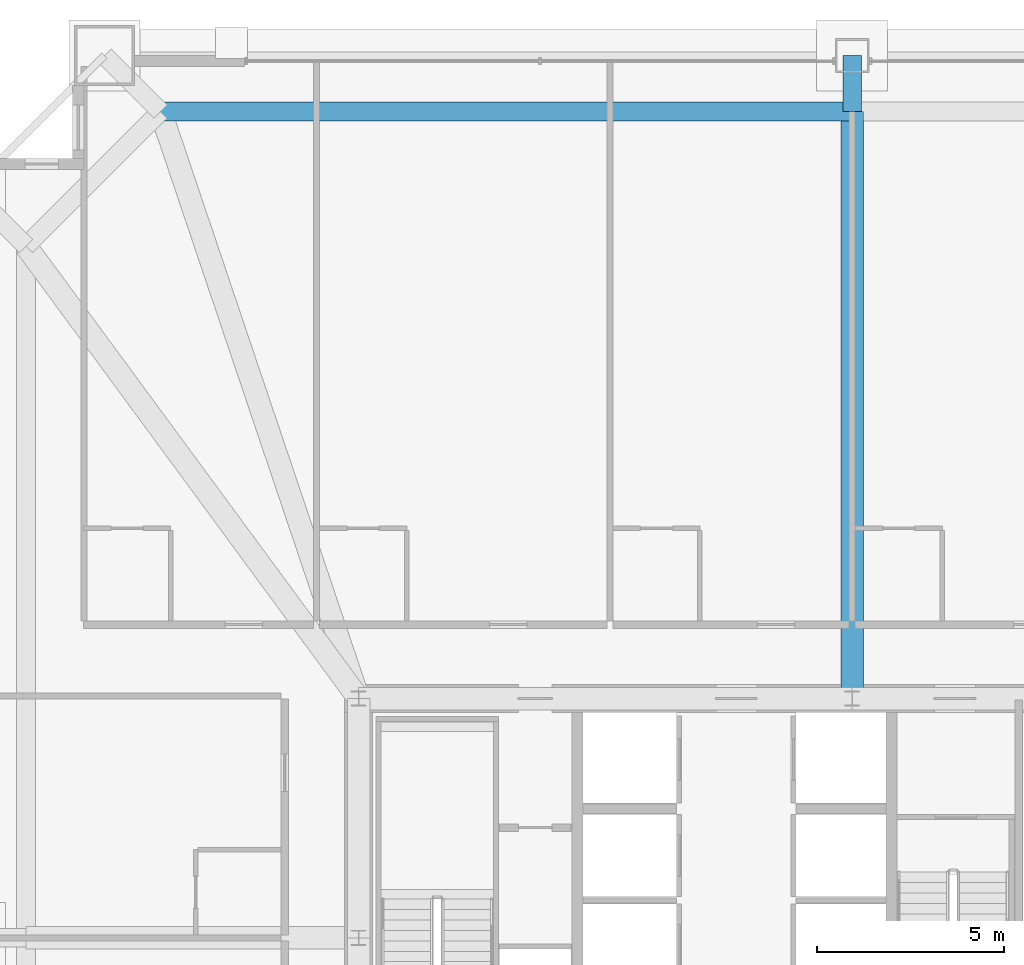
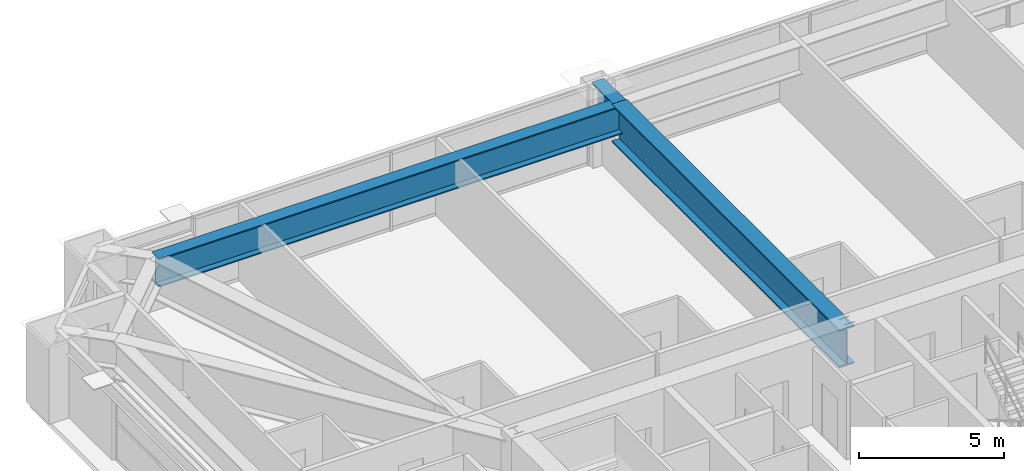
# One storey, part 28 of 45: 3 beams.
"""IFC4 building model written with IfcOpenShell, lengths in metres."""

from ifc_helpers import new_model, si_unit, direction, frame, origin, origin_2d, place, context, subcontext, project, spatial, i_section, extrude, source, transform, mapped, material, material_profile, profile_set, type_object, element, save


model = new_model("IFC4")

# Units and contexts
model_context = context("Model", 3, precision=1e-05, world=origin(), true_north=direction((0.0, 1.0)))
body_context = subcontext(model_context, "Body", "Model", "MODEL_VIEW")
ifc_project = project(units=[si_unit("LENGTHUNIT", "METRE"), si_unit("AREAUNIT", "SQUARE_METRE"), si_unit("VOLUMEUNIT", "CUBIC_METRE"), si_unit("PLANEANGLEUNIT", "RADIAN"), si_unit("MASSUNIT", "GRAM", prefix="KILO"), si_unit("THERMODYNAMICTEMPERATUREUNIT", "KELVIN"), si_unit("POWERUNIT", "WATT")], contexts=[model_context])

# Site, building, storey
site_placement = place(None, origin())
site = spatial("IfcSite", under=ifc_project, at=site_placement, CompositionType="ELEMENT")
building_placement = place(site_placement, origin())
building = spatial("IfcBuilding", under=site, at=building_placement, Name="Yuzanri Waterfront Tower", CompositionType="ELEMENT")
storey_placement = place(building_placement, frame((0.0, 0.0, 163.199951171875)))
storey = spatial("IfcBuildingStorey", under=building, at=storey_placement, Name="L43", CompositionType="ELEMENT", Elevation=163.199951171875)

# Beams
ifc_material_1 = material(Name="Steel Q420GJC", Category="steel")
ifc_material_profile_1 = material_profile(ifc_material_1, i_section(OverallWidth=0.5, OverallDepth=1.199951171875, WebThickness=0.028076171875, FlangeThickness=0.050048828125, at=origin_2d()), Name="PG 1200x500x28x50")
ifc_profile_set_1 = profile_set([ifc_material_profile_1], Name="Steel Q420GJC")
beam_type_1 = type_object("IfcBeamType", Name="Setback Transfer Girder Q420GJC PG 1200x500", PredefinedType="USERDEFINED", material=ifc_profile_set_1)
shared_shape_1 = source(origin(), body_context, "Body", "SweptSolid", [
    extrude(i_section(OverallWidth=0.5, OverallDepth=1.199951171875, WebThickness=0.028076171875, FlangeThickness=0.050048828125, at=origin_2d()), origin(), (0.0, 0.0, 1.0), 1.5),
])
beam_1_placement = place(storey_placement, frame((37.0, 47.89990234375, 2.699951171875), z_axis=(0.0, 1.0, 0.0), x_axis=(-1.0, 0.0, 0.0)))
element("IfcBeam", 1, at=beam_1_placement, inside=storey, type_object=beam_type_1, Name="L43 Setback Step Transfer N2", ObjectType="GIRDER", PredefinedType="USERDEFINED", context=body_context, shape_type="MappedRepresentation", body=[
    mapped(shared_shape_1, transform((0.0, 0.0, 0.0), scale=1.0)),
])
ifc_material_2 = material(Name="Steel Q420GJC", Category="steel")
ifc_material_profile_2 = material_profile(ifc_material_2, i_section(OverallWidth=0.60009765625, OverallDepth=1.60009765625, WebThickness=0.031982421875, FlangeThickness=0.06005859375, at=origin_2d()), Name="PG 1600x600x32x60")
ifc_profile_set_2 = profile_set([ifc_material_profile_2], Name="Steel Q420GJC")
beam_type_2 = type_object("IfcBeamType", Name="Ballroom Transfer Girder Q420GJC PG 1600x600", PredefinedType="USERDEFINED", material=ifc_profile_set_2)
shared_shape_2 = source(origin(), body_context, "Body", "SweptSolid", [
    extrude(i_section(OverallWidth=0.60009765625, OverallDepth=1.60009765625, WebThickness=0.031982421875, FlangeThickness=0.06005859375, at=origin_2d()), origin(), (0.0, 0.0, 1.0), 15.699951171875),
])
beam_2_placement = place(storey_placement, frame((37.0, 32.199951171875, 2.5), z_axis=(0.0, 1.0, 0.0), x_axis=(-1.0, 0.0, 0.0)))
element("IfcBeam", 2, at=beam_2_placement, inside=storey, type_object=beam_type_2, Name="L43 Setback Inner Transfer N2", ObjectType="GIRDER", PredefinedType="USERDEFINED", context=body_context, shape_type="MappedRepresentation", body=[
    mapped(shared_shape_2, transform((0.0, 0.0, 0.0), scale=1.0)),
])
shared_shape_3 = source(origin(), body_context, "Body", "SweptSolid", [
    extrude(i_section(OverallWidth=0.5, OverallDepth=1.199951171875, WebThickness=0.028076171875, FlangeThickness=0.050048828125, at=origin_2d()), origin(), (0.0, 0.0, 1.0), 18.5),
])
beam_3_placement = place(storey_placement, frame((37.0, 47.89990234375, 2.699951171875), z_axis=(-1.0, 0.0, 0.0), x_axis=(0.0, -1.0, 0.0)))
element("IfcBeam", 3, at=beam_3_placement, inside=storey, type_object=beam_type_1, Name="L43 Setback Upper Ring N2-N1", ObjectType="GIRDER", PredefinedType="USERDEFINED", context=body_context, shape_type="MappedRepresentation", body=[
    mapped(shared_shape_3, transform((0.0, 0.0, 0.0), scale=1.0)),
])

save(model, "model.ifc")
